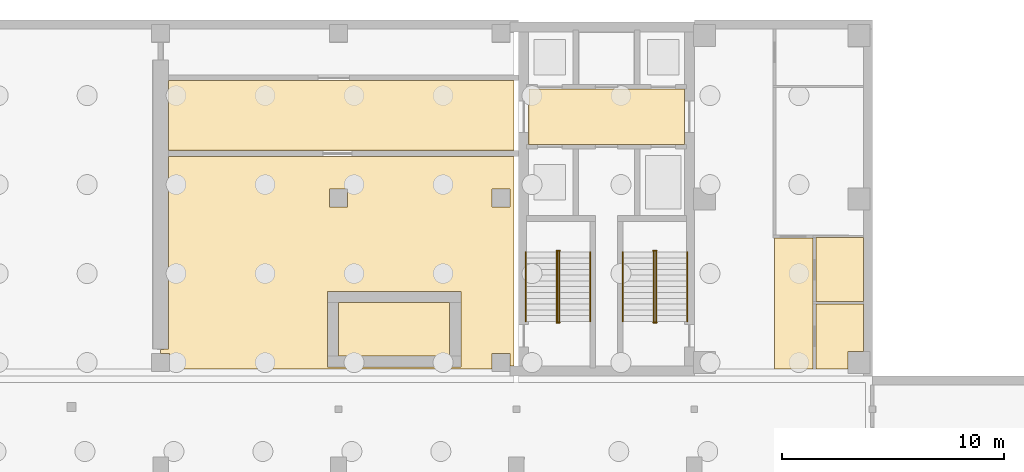
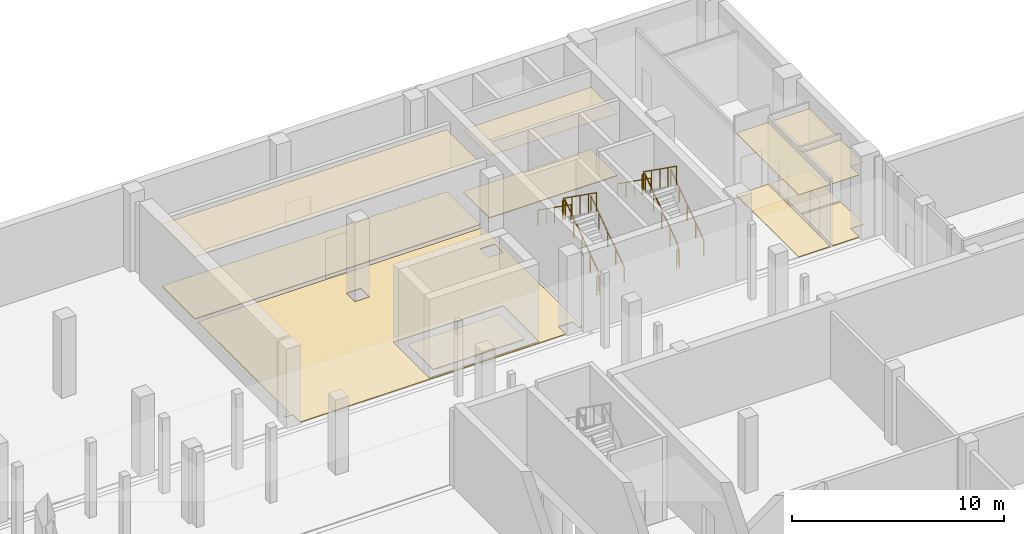
# One storey, part 18 of 21: 12 coverings, 12 railings.
"""IFC4 building model written with IfcOpenShell, lengths in metres."""

from ifc_helpers import new_model, si_unit, direction, frame, origin, origin_2d, place, context, subcontext, project, spatial, polyline, circle, outline, extrude, material, layer, layer_set, type_object, element, save


model = new_model("IFC4")

# Units and contexts
model_context = context("Model", 3, precision=1e-05, world=origin(), true_north=direction((0.0, 1.0)))
body_context = subcontext(model_context, "Body", "Model", "MODEL_VIEW")
ifc_project = project(units=[si_unit("LENGTHUNIT", "METRE"), si_unit("AREAUNIT", "SQUARE_METRE"), si_unit("VOLUMEUNIT", "CUBIC_METRE"), si_unit("PLANEANGLEUNIT", "RADIAN"), si_unit("MASSUNIT", "GRAM", prefix="KILO")], contexts=[model_context])

# Site, building, storey
site_placement = place(None, origin())
site = spatial("IfcSite", under=ifc_project, at=site_placement, CompositionType="ELEMENT")
building_placement = place(site_placement, origin())
building = spatial("IfcBuilding", under=site, at=building_placement, Name="Lantern Court Media Centre", CompositionType="ELEMENT")
storey_placement = place(building_placement, frame((0.0, 0.0, -4.800048828125)))
storey = spatial("IfcBuildingStorey", under=building, at=storey_placement, Name="B1", CompositionType="ELEMENT", Elevation=-4.800048828125)

# Coverings
ifc_material_1 = material(Name="Carpet")
ifc_layer_1 = layer(ifc_material_1, 0.050048828125)
ifc_layer_set_1 = layer_set([ifc_layer_1], Name="Carpet")
covering_type_1 = type_object("IfcCoveringType", Name="Carpet floor finish", PredefinedType="FLOORING", material=ifc_layer_set_1)
covering_1_placement = place(storey_placement, origin())
element("IfcCovering", 1, at=covering_1_placement, inside=storey, type_object=covering_type_1, Name="WC Male floor finish", PredefinedType="FLOORING", context=body_context, shape_type="SweptSolid", body=[
    extrude(outline(polyline([(93.467529296875, 48.300048828125), (93.467529296875, 51.22998046875), (95.594970703125, 51.22998046875), (95.594970703125, 49.10498046875), (94.896240234375, 49.103271484375), (94.89501953125, 48.300048828125), (93.467529296875, 48.300048828125)])), origin(), (0.0, 0.0, 1.0), 0.050048828125),
])
covering_2_placement = place(storey_placement, origin())
element("IfcCovering", 2, at=covering_2_placement, inside=storey, type_object=covering_type_1, Name="WC Female floor finish", PredefinedType="FLOORING", context=body_context, shape_type="SweptSolid", body=[
    extrude(outline(polyline([(95.594970703125, 51.340087890625), (93.467529296875, 51.340087890625), (93.467529296875, 54.215087890625), (95.594970703125, 54.215087890625), (95.594970703125, 51.340087890625)])), origin(), (0.0, 0.0, 1.0), 0.050048828125),
])
covering_3_placement = place(storey_placement, origin())
element("IfcCovering", 3, at=covering_3_placement, inside=storey, type_object=covering_type_1, Name="Film Archive Vault floor finish", PredefinedType="FLOORING", context=body_context, shape_type="SweptSolid", body=[
    extrude(outline(polyline([(79.89990234375, 48.455078125), (79.705078125, 48.455078125), (79.702392578125, 49.00439453125), (78.89990234375, 49.0048828125), (78.89501953125, 48.300048828125), (64.405029296875, 48.300048828125), (64.404296875, 49.00244140625), (64.0, 49.0048828125), (64.0, 49.195068359375), (64.35498046875, 49.199951171875), (64.35498046875, 57.85498046875), (79.89990234375, 57.85498046875), (79.89990234375, 48.455078125)]), holes=[polyline([(79.699951171875, 55.594970703125), (79.70361328125, 56.403564453125), (78.896484375, 56.403564453125), (78.896484375, 55.596435546875), (79.699951171875, 55.594970703125)]), polyline([(77.5048828125, 51.800048828125), (71.49755859375, 51.804443359375), (71.49560546875, 48.397705078125), (77.50244140625, 48.3955078125), (77.5048828125, 51.800048828125)]), polyline([(72.39990234375, 55.594970703125), (72.403564453125, 56.403564453125), (71.596435546875, 56.403564453125), (71.596435546875, 55.596435546875), (72.39990234375, 55.594970703125)])]), origin(), (0.0, 0.0, 1.0), 0.050048828125),
])
covering_4_placement = place(storey_placement, origin())
element("IfcCovering", 4, at=covering_4_placement, inside=storey, type_object=covering_type_1, Name="Film Archive Vault floor finish", PredefinedType="FLOORING", context=body_context, shape_type="SweptSolid", body=[
    extrude(outline(polyline([(76.9951171875, 51.294921875), (76.9951171875, 48.905029296875), (72.0048828125, 48.905029296875), (72.0048828125, 51.294921875), (76.9951171875, 51.294921875)])), origin(), (0.0, 0.0, 1.0), 0.050048828125),
])

# Railings
ifc_material_2 = material(Name="Powder-coated steel", Category="steel")
railing_type_1 = type_object("IfcRailingType", Name="Stair guard 1100", PredefinedType="GUARDRAIL", material=ifc_material_2)
railing_1_placement = place(storey_placement, frame((86.27587890625, 50.449951171875, 0.1845703125)))
element("IfcRailing", 5, at=railing_1_placement, inside=storey, type_object=railing_type_1, Name="B1 ST-SEA stair guard 1", PredefinedType="GUARDRAIL", context=body_context, shape_type="SweptSolid", body=[
    extrude(circle(Radius=0.02392578125, at=origin_2d()), frame((0.0, 0.0, 1.076171875), z_axis=(0.0, 0.815346844174, 0.578972817752), x_axis=(-1.0, 0.0, 0.0)), (0.0, 0.0, 1.0), 3.82666015625),
    extrude(circle(Radius=0.02099609375, at=origin_2d()), origin(), (0.0, 0.0, 1.0), 1.052001953125),
    extrude(circle(Radius=0.02099609375, at=origin_2d()), frame((0.0, 0.780029296875, 0.553955078125)), (0.0, 0.0, 1.0), 1.052001953125),
    extrude(circle(Radius=0.02099609375, at=origin_2d()), frame((0.0, 1.56005859375, 1.10791015625)), (0.0, 0.0, 1.0), 1.052001953125),
    extrude(circle(Radius=0.02099609375, at=origin_2d()), frame((0.0, 2.340087890625, 1.66162109375)), (0.0, 0.0, 1.0), 1.052001953125),
    extrude(circle(Radius=0.02099609375, at=origin_2d()), frame((0.0, 3.1201171875, 2.215576171875)), (0.0, 0.0, 1.0), 1.052001953125),
])
railing_2_placement = place(storey_placement, frame((86.300048828125, 53.6201171875, 2.400146484375)))
element("IfcRailing", 6, at=railing_2_placement, inside=storey, type_object=railing_type_1, Name="B1 ST-SEA stair guard 2", PredefinedType="GUARDRAIL", context=body_context, shape_type="SweptSolid", body=[
    extrude(circle(Radius=0.02392578125, at=origin_2d()), frame((0.0, 0.0, 1.076171875), z_axis=(-1.0, 0.0, 0.0), x_axis=(0.0, -1.0, 0.0)), (0.0, 0.0, 1.0), 0.150146484375),
    extrude(circle(Radius=0.02099609375, at=origin_2d()), origin(), (0.0, 0.0, 1.0), 1.052001953125),
    extrude(circle(Radius=0.02099609375, at=origin_2d()), frame((-0.150146484375, 0.0, 0.0)), (0.0, 0.0, 1.0), 1.052001953125),
])
railing_3_placement = place(storey_placement, frame((86.174072265625, 53.570068359375, 2.584716796875)))
element("IfcRailing", 7, at=railing_3_placement, inside=storey, type_object=railing_type_1, Name="B1 ST-SEA stair guard 3", PredefinedType="GUARDRAIL", context=body_context, shape_type="SweptSolid", body=[
    extrude(circle(Radius=0.02392578125, at=origin_2d()), frame((0.0, 0.0, 1.076171875), z_axis=(0.0, -0.815376961211, 0.578930402662), x_axis=(1.0, 0.0, 0.0)), (0.0, 0.0, 1.0), 3.82666015625),
    extrude(circle(Radius=0.02099609375, at=origin_2d()), origin(), (0.0, 0.0, 1.0), 1.052001953125),
    extrude(circle(Radius=0.02099609375, at=origin_2d()), frame((0.0, -0.780029296875, 0.5537109375)), (0.0, 0.0, 1.0), 1.052001953125),
    extrude(circle(Radius=0.02099609375, at=origin_2d()), frame((0.0, -1.56005859375, 1.107666015625)), (0.0, 0.0, 1.0), 1.052001953125),
    extrude(circle(Radius=0.02099609375, at=origin_2d()), frame((0.0, -2.340087890625, 1.66162109375)), (0.0, 0.0, 1.0), 1.052001953125),
    extrude(circle(Radius=0.02099609375, at=origin_2d()), frame((0.0, -3.1201171875, 2.21533203125)), (0.0, 0.0, 1.0), 1.052001953125),
])
railing_4_placement = place(storey_placement, frame((86.300048828125, 50.39990234375, 0.0)))
element("IfcRailing", 8, at=railing_4_placement, inside=storey, type_object=railing_type_1, Name="B1 ST-SEA stair guard 4", PredefinedType="GUARDRAIL", context=body_context, shape_type="SweptSolid", body=[
    extrude(circle(Radius=0.02392578125, at=origin_2d()), frame((0.0, 0.0, 1.076171875), z_axis=(-1.0, 0.0, 0.0), x_axis=(0.0, -1.0, 0.0)), (0.0, 0.0, 1.0), 0.150146484375),
    extrude(circle(Radius=0.02099609375, at=origin_2d()), origin(), (0.0, 0.0, 1.0), 1.052001953125),
    extrude(circle(Radius=0.02099609375, at=origin_2d()), frame((-0.150146484375, 0.0, 0.0)), (0.0, 0.0, 1.0), 1.052001953125),
])
railing_5_placement = place(storey_placement, frame((81.926025390625, 50.449951171875, 0.1845703125)))
element("IfcRailing", 9, at=railing_5_placement, inside=storey, type_object=railing_type_1, Name="B1 ST-SEB stair guard 1", PredefinedType="GUARDRAIL", context=body_context, shape_type="SweptSolid", body=[
    extrude(circle(Radius=0.02392578125, at=origin_2d()), frame((0.0, 0.0, 1.076171875), z_axis=(0.0, 0.815346844174, 0.578972817752), x_axis=(-1.0, 0.0, 0.0)), (0.0, 0.0, 1.0), 3.82666015625),
    extrude(circle(Radius=0.02099609375, at=origin_2d()), origin(), (0.0, 0.0, 1.0), 1.052001953125),
    extrude(circle(Radius=0.02099609375, at=origin_2d()), frame((0.0, 0.780029296875, 0.553955078125)), (0.0, 0.0, 1.0), 1.052001953125),
    extrude(circle(Radius=0.02099609375, at=origin_2d()), frame((0.0, 1.56005859375, 1.10791015625)), (0.0, 0.0, 1.0), 1.052001953125),
    extrude(circle(Radius=0.02099609375, at=origin_2d()), frame((0.0, 2.340087890625, 1.66162109375)), (0.0, 0.0, 1.0), 1.052001953125),
    extrude(circle(Radius=0.02099609375, at=origin_2d()), frame((0.0, 3.1201171875, 2.215576171875)), (0.0, 0.0, 1.0), 1.052001953125),
])
railing_6_placement = place(storey_placement, frame((81.949951171875, 53.6201171875, 2.400146484375)))
element("IfcRailing", 10, at=railing_6_placement, inside=storey, type_object=railing_type_1, Name="B1 ST-SEB stair guard 2", PredefinedType="GUARDRAIL", context=body_context, shape_type="SweptSolid", body=[
    extrude(circle(Radius=0.02392578125, at=origin_2d()), frame((0.0, 0.0, 1.076171875), z_axis=(-1.0, 0.0, 0.0), x_axis=(0.0, -1.0, 0.0)), (0.0, 0.0, 1.0), 0.14990234375),
    extrude(circle(Radius=0.02099609375, at=origin_2d()), origin(), (0.0, 0.0, 1.0), 1.052001953125),
    extrude(circle(Radius=0.02099609375, at=origin_2d()), frame((-0.14990234375, 0.0, 0.0)), (0.0, 0.0, 1.0), 1.052001953125),
])
railing_7_placement = place(storey_placement, frame((81.823974609375, 53.570068359375, 2.584716796875)))
element("IfcRailing", 11, at=railing_7_placement, inside=storey, type_object=railing_type_1, Name="B1 ST-SEB stair guard 3", PredefinedType="GUARDRAIL", context=body_context, shape_type="SweptSolid", body=[
    extrude(circle(Radius=0.02392578125, at=origin_2d()), frame((0.0, 0.0, 1.076171875), z_axis=(0.0, -0.815376961211, 0.578930402662), x_axis=(1.0, 0.0, 0.0)), (0.0, 0.0, 1.0), 3.82666015625),
    extrude(circle(Radius=0.02099609375, at=origin_2d()), origin(), (0.0, 0.0, 1.0), 1.052001953125),
    extrude(circle(Radius=0.02099609375, at=origin_2d()), frame((0.0, -0.780029296875, 0.5537109375)), (0.0, 0.0, 1.0), 1.052001953125),
    extrude(circle(Radius=0.02099609375, at=origin_2d()), frame((0.0, -1.56005859375, 1.107666015625)), (0.0, 0.0, 1.0), 1.052001953125),
    extrude(circle(Radius=0.02099609375, at=origin_2d()), frame((0.0, -2.340087890625, 1.66162109375)), (0.0, 0.0, 1.0), 1.052001953125),
    extrude(circle(Radius=0.02099609375, at=origin_2d()), frame((0.0, -3.1201171875, 2.21533203125)), (0.0, 0.0, 1.0), 1.052001953125),
])
railing_8_placement = place(storey_placement, frame((81.949951171875, 50.39990234375, 0.0)))
element("IfcRailing", 12, at=railing_8_placement, inside=storey, type_object=railing_type_1, Name="B1 ST-SEB stair guard 4", PredefinedType="GUARDRAIL", context=body_context, shape_type="SweptSolid", body=[
    extrude(circle(Radius=0.02392578125, at=origin_2d()), frame((0.0, 0.0, 1.076171875), z_axis=(-1.0, 0.0, 0.0), x_axis=(0.0, -1.0, 0.0)), (0.0, 0.0, 1.0), 0.14990234375),
    extrude(circle(Radius=0.02099609375, at=origin_2d()), origin(), (0.0, 0.0, 1.0), 1.052001953125),
    extrude(circle(Radius=0.02099609375, at=origin_2d()), frame((-0.14990234375, 0.0, 0.0)), (0.0, 0.0, 1.0), 1.052001953125),
])
railing_type_2 = type_object("IfcRailingType", Name="Stair handrail 900", PredefinedType="HANDRAIL", material=ifc_material_2)
railing_9_placement = place(storey_placement, frame((87.674072265625, 50.449951171875, 0.1845703125)))
element("IfcRailing", 13, at=railing_9_placement, inside=storey, type_object=railing_type_2, Name="B1 ST-SEA stair handrail 1", PredefinedType="HANDRAIL", context=body_context, shape_type="SweptSolid", body=[
    extrude(circle(Radius=0.02392578125, at=origin_2d()), frame((0.0, 0.0, 0.8759765625), z_axis=(0.0, 0.815346844174, 0.578972817752), x_axis=(-1.0, 0.0, 0.0)), (0.0, 0.0, 1.0), 3.82666015625),
    extrude(circle(Radius=0.02099609375, at=origin_2d()), origin(), (0.0, 0.0, 1.0), 0.851806640625),
    extrude(circle(Radius=0.02099609375, at=origin_2d()), frame((0.0, 0.780029296875, 0.553955078125)), (0.0, 0.0, 1.0), 0.851806640625),
    extrude(circle(Radius=0.02099609375, at=origin_2d()), frame((0.0, 1.56005859375, 1.10791015625)), (0.0, 0.0, 1.0), 0.851806640625),
    extrude(circle(Radius=0.02099609375, at=origin_2d()), frame((0.0, 2.340087890625, 1.66162109375)), (0.0, 0.0, 1.0), 0.851806640625),
    extrude(circle(Radius=0.02099609375, at=origin_2d()), frame((0.0, 3.1201171875, 2.215576171875)), (0.0, 0.0, 1.0), 0.851806640625),
])
railing_10_placement = place(storey_placement, frame((84.77587890625, 53.570068359375, 2.584716796875)))
element("IfcRailing", 14, at=railing_10_placement, inside=storey, type_object=railing_type_2, Name="B1 ST-SEA stair handrail 2", PredefinedType="HANDRAIL", context=body_context, shape_type="SweptSolid", body=[
    extrude(circle(Radius=0.02392578125, at=origin_2d()), frame((0.0, 0.0, 0.8759765625), z_axis=(0.0, -0.815376961211, 0.578930402662), x_axis=(1.0, 0.0, 0.0)), (0.0, 0.0, 1.0), 3.82666015625),
    extrude(circle(Radius=0.02099609375, at=origin_2d()), origin(), (0.0, 0.0, 1.0), 0.851806640625),
    extrude(circle(Radius=0.02099609375, at=origin_2d()), frame((0.0, -0.780029296875, 0.5537109375)), (0.0, 0.0, 1.0), 0.851806640625),
    extrude(circle(Radius=0.02099609375, at=origin_2d()), frame((0.0, -1.56005859375, 1.107666015625)), (0.0, 0.0, 1.0), 0.851806640625),
    extrude(circle(Radius=0.02099609375, at=origin_2d()), frame((0.0, -2.340087890625, 1.66162109375)), (0.0, 0.0, 1.0), 0.851806640625),
    extrude(circle(Radius=0.02099609375, at=origin_2d()), frame((0.0, -3.1201171875, 2.21533203125)), (0.0, 0.0, 1.0), 0.851806640625),
])
railing_11_placement = place(storey_placement, frame((83.323974609375, 50.449951171875, 0.1845703125)))
element("IfcRailing", 15, at=railing_11_placement, inside=storey, type_object=railing_type_2, Name="B1 ST-SEB stair handrail 1", PredefinedType="HANDRAIL", context=body_context, shape_type="SweptSolid", body=[
    extrude(circle(Radius=0.02392578125, at=origin_2d()), frame((0.0, 0.0, 0.8759765625), z_axis=(0.0, 0.815346844174, 0.578972817752), x_axis=(-1.0, 0.0, 0.0)), (0.0, 0.0, 1.0), 3.82666015625),
    extrude(circle(Radius=0.02099609375, at=origin_2d()), origin(), (0.0, 0.0, 1.0), 0.851806640625),
    extrude(circle(Radius=0.02099609375, at=origin_2d()), frame((0.0, 0.780029296875, 0.553955078125)), (0.0, 0.0, 1.0), 0.851806640625),
    extrude(circle(Radius=0.02099609375, at=origin_2d()), frame((0.0, 1.56005859375, 1.10791015625)), (0.0, 0.0, 1.0), 0.851806640625),
    extrude(circle(Radius=0.02099609375, at=origin_2d()), frame((0.0, 2.340087890625, 1.66162109375)), (0.0, 0.0, 1.0), 0.851806640625),
    extrude(circle(Radius=0.02099609375, at=origin_2d()), frame((0.0, 3.1201171875, 2.215576171875)), (0.0, 0.0, 1.0), 0.851806640625),
])
railing_12_placement = place(storey_placement, frame((80.426025390625, 53.570068359375, 2.584716796875)))
element("IfcRailing", 16, at=railing_12_placement, inside=storey, type_object=railing_type_2, Name="B1 ST-SEB stair handrail 2", PredefinedType="HANDRAIL", context=body_context, shape_type="SweptSolid", body=[
    extrude(circle(Radius=0.02392578125, at=origin_2d()), frame((0.0, 0.0, 0.8759765625), z_axis=(0.0, -0.815376961211, 0.578930402662), x_axis=(1.0, 0.0, 0.0)), (0.0, 0.0, 1.0), 3.82666015625),
    extrude(circle(Radius=0.02099609375, at=origin_2d()), origin(), (0.0, 0.0, 1.0), 0.851806640625),
    extrude(circle(Radius=0.02099609375, at=origin_2d()), frame((0.0, -0.780029296875, 0.5537109375)), (0.0, 0.0, 1.0), 0.851806640625),
    extrude(circle(Radius=0.02099609375, at=origin_2d()), frame((0.0, -1.56005859375, 1.107666015625)), (0.0, 0.0, 1.0), 0.851806640625),
    extrude(circle(Radius=0.02099609375, at=origin_2d()), frame((0.0, -2.340087890625, 1.66162109375)), (0.0, 0.0, 1.0), 0.851806640625),
    extrude(circle(Radius=0.02099609375, at=origin_2d()), frame((0.0, -3.1201171875, 2.21533203125)), (0.0, 0.0, 1.0), 0.851806640625),
])

# Coverings
ifc_material_3 = material(Name="Mineral fibre ceiling tile")
ifc_layer_2 = layer(ifc_material_3, 0.02001953125)
ifc_layer_set_2 = layer_set([ifc_layer_2], Name="Mineral fibre ceiling tile")
covering_type_2 = type_object("IfcCoveringType", Name="Suspended ceiling tile", PredefinedType="CEILING", material=ifc_layer_set_2)
covering_5_placement = place(storey_placement, frame((0.0, 0.0, 3.60009765625)))
element("IfcCovering", 17, at=covering_5_placement, inside=storey, type_object=covering_type_2, Name="Lift Lobby ceiling", PredefinedType="CEILING", context=body_context, shape_type="SweptSolid", body=[
    extrude(outline(polyline([(87.549560546875, 60.8994140625), (87.549560546875, 58.400390625), (80.550537109375, 58.400390625), (80.550537109375, 60.8994140625), (87.549560546875, 60.8994140625)])), origin(), (0.0, 0.0, 1.0), 0.02001953125),
])
covering_6_placement = place(storey_placement, frame((0.0, 0.0, 3.60009765625)))
element("IfcCovering", 18, at=covering_6_placement, inside=storey, type_object=covering_type_2, Name="WC Lobby ceiling", PredefinedType="CEILING", context=body_context, shape_type="SweptSolid", body=[
    extrude(outline(polyline([(91.60009765625, 48.300048828125), (91.60009765625, 54.20703125), (93.3369140625, 54.20703125), (93.3369140625, 48.300048828125), (91.60009765625, 48.300048828125)])), origin(), (0.0, 0.0, 1.0), 0.02001953125),
])
covering_7_placement = place(storey_placement, frame((0.0, 0.0, 3.60009765625)))
element("IfcCovering", 19, at=covering_7_placement, inside=storey, type_object=covering_type_2, Name="WC Male ceiling", PredefinedType="CEILING", context=body_context, shape_type="SweptSolid", body=[
    extrude(outline(polyline([(95.599609375, 51.28515625), (95.599609375, 49.1005859375), (94.899658203125, 49.100341796875), (94.8994140625, 48.300048828125), (93.462890625, 48.300048828125), (93.462890625, 51.234619140625), (95.594970703125, 51.234619140625), (95.599609375, 51.28515625)])), origin(), (0.0, 0.0, 1.0), 0.02001953125),
])
covering_8_placement = place(storey_placement, frame((0.0, 0.0, 3.60009765625)))
element("IfcCovering", 20, at=covering_8_placement, inside=storey, type_object=covering_type_2, Name="WC Female ceiling", PredefinedType="CEILING", context=body_context, shape_type="SweptSolid", body=[
    extrude(outline(polyline([(95.599609375, 54.2705078125), (95.599609375, 51.28515625), (95.594970703125, 51.33544921875), (93.462890625, 51.33544921875), (93.462890625, 54.219482421875), (95.594970703125, 54.219482421875), (95.599609375, 54.2705078125)])), origin(), (0.0, 0.0, 1.0), 0.02001953125),
])
covering_9_placement = place(storey_placement, frame((0.0, 0.0, 3.60009765625)))
element("IfcCovering", 21, at=covering_9_placement, inside=storey, type_object=covering_type_2, Name="Archive Corridor ceiling", PredefinedType="CEILING", context=body_context, shape_type="SweptSolid", body=[
    extrude(outline(polyline([(79.89990234375, 58.140380859375), (64.35498046875, 58.140380859375), (64.3505859375, 58.0), (64.3505859375, 61.39990234375), (64.35498046875, 61.279541015625), (79.89990234375, 61.279541015625), (79.89990234375, 58.140380859375)])), origin(), (0.0, 0.0, 1.0), 0.02001953125),
])
ifc_material_4 = material(Name="Terrazzo")
ifc_layer_3 = layer(ifc_material_4, 0.050048828125)
ifc_layer_set_3 = layer_set([ifc_layer_3], Name="Terrazzo")
covering_type_3 = type_object("IfcCoveringType", Name="Terrazzo floor finish", PredefinedType="FLOORING", material=ifc_layer_set_3)
covering_10_placement = place(storey_placement, origin())
element("IfcCovering", 22, at=covering_10_placement, inside=storey, type_object=covering_type_3, Name="Lift Lobby floor finish", PredefinedType="FLOORING", context=body_context, shape_type="SweptSolid", body=[
    extrude(outline(polyline([(87.544921875, 60.89501953125), (87.544921875, 58.405029296875), (80.554931640625, 58.405029296875), (80.554931640625, 60.89501953125), (87.544921875, 60.89501953125)])), origin(), (0.0, 0.0, 1.0), 0.050048828125),
])
covering_11_placement = place(storey_placement, origin())
element("IfcCovering", 23, at=covering_11_placement, inside=storey, type_object=covering_type_3, Name="WC Lobby floor finish", PredefinedType="FLOORING", context=body_context, shape_type="SweptSolid", body=[
    extrude(outline(polyline([(91.60009765625, 48.300048828125), (91.60009765625, 54.202392578125), (93.33251953125, 54.202392578125), (93.33251953125, 48.300048828125), (91.60009765625, 48.300048828125)])), origin(), (0.0, 0.0, 1.0), 0.050048828125),
])
covering_12_placement = place(storey_placement, origin())
element("IfcCovering", 24, at=covering_12_placement, inside=storey, type_object=covering_type_3, Name="Archive Corridor floor finish", PredefinedType="FLOORING", context=body_context, shape_type="SweptSolid", body=[
    extrude(outline(polyline([(79.89990234375, 58.14501953125), (64.35498046875, 58.14501953125), (64.35498046875, 61.27490234375), (79.89990234375, 61.27490234375), (79.89990234375, 58.14501953125)])), origin(), (0.0, 0.0, 1.0), 0.050048828125),
])

save(model, "model.ifc")
